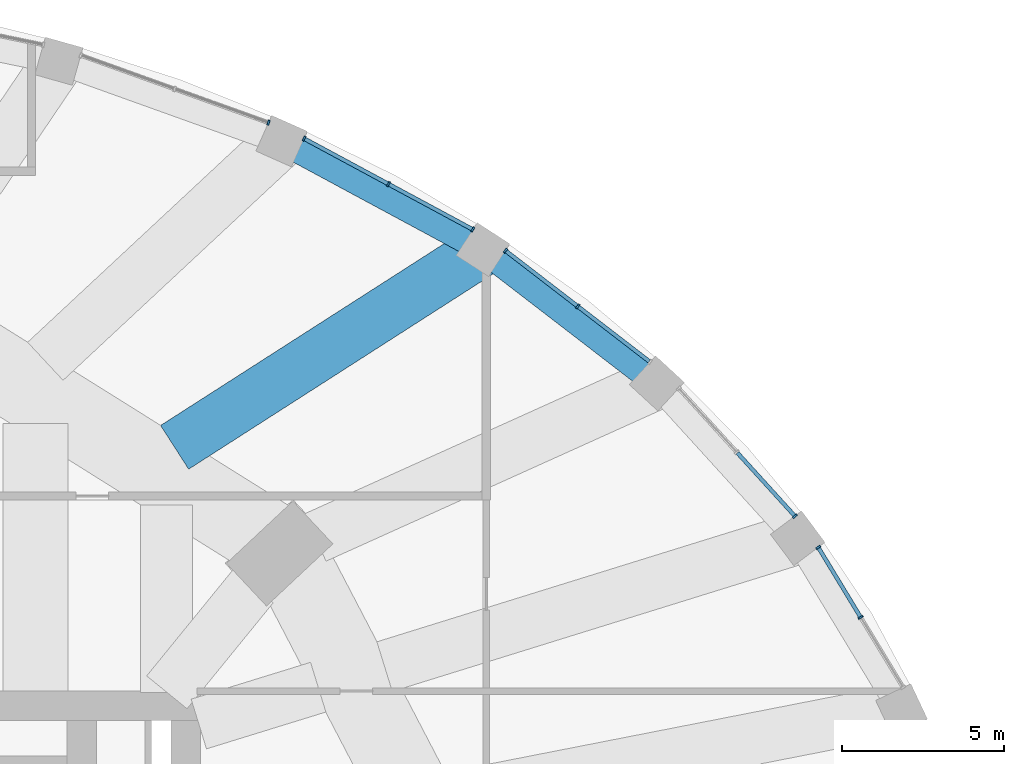
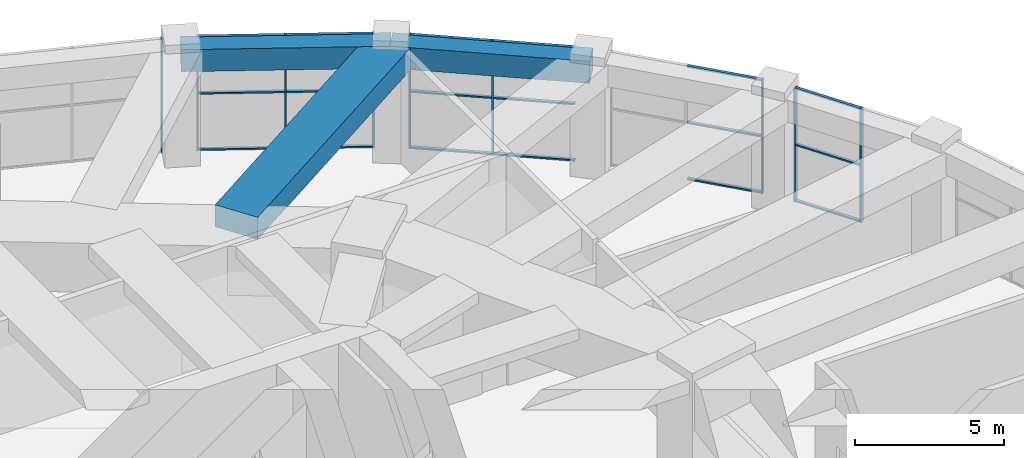
# One storey, part 15 of 30: 27 members, 3 beams, 5 elements without a shape of their own.
"""IFC4 building model written with IfcOpenShell, lengths in metres."""

from ifc_helpers import new_model, si_unit, direction, frame, origin, origin_2d, place, context, subcontext, project, spatial, rectangle, extrude, material, material_profile, profile_set, type_object, element, aggregate, save


model = new_model("IFC4")

# Units and contexts
model_context = context("Model", 3, precision=1e-05, world=origin(), true_north=direction((0.0, 1.0)))
body_context = subcontext(model_context, "Body", "Model", "MODEL_VIEW")
ifc_project = project(units=[si_unit("LENGTHUNIT", "METRE"), si_unit("AREAUNIT", "SQUARE_METRE"), si_unit("VOLUMEUNIT", "CUBIC_METRE"), si_unit("PLANEANGLEUNIT", "RADIAN"), si_unit("MASSUNIT", "GRAM", prefix="KILO")], contexts=[model_context])

# Site, building, storey
site_placement = place(None, origin())
site = spatial("IfcSite", under=ifc_project, at=site_placement, CompositionType="ELEMENT")
building_placement = place(site_placement, origin())
building = spatial("IfcBuilding", under=site, at=building_placement, Name="Taillehof Tower", CompositionType="ELEMENT")
storey_placement = place(building_placement, frame((0.0, 0.0, 12.5)))
storey = spatial("IfcBuildingStorey", under=building, at=storey_placement, Name="L02", CompositionType="ELEMENT", Elevation=12.5)

# Beams
ifc_material_1 = material(Name="Concrete C50/60", Category="concrete")
ifc_material_profile_1 = material_profile(ifc_material_1, rectangle(XDim=0.800048828125, YDim=0.89990234375, at=origin_2d()), Name="RC 800x900")
ifc_profile_set_1 = profile_set([ifc_material_profile_1], Name="Concrete C50/60")
beam_type_1 = type_object("IfcBeamType", Name="Podium edge beam C50/60 800x900", PredefinedType="BEAM", material=ifc_profile_set_1)
beam_1_placement = place(storey_placement, frame((33.246337890625, 21.468994140625, 4.199951171875), z_axis=(-0.79247741179, 0.609901263978, 0.0), x_axis=(-0.609901263978, -0.79247741179, 0.0)))
element("IfcBeam", 1, at=beam_1_placement, inside=storey, type_object=beam_type_1, Name="Podium edge beam PB05", PredefinedType="BEAM", context=body_context, shape_type="SweptSolid", body=[
    extrude(rectangle(XDim=0.800048828125, YDim=0.89990234375, at=origin_2d()), origin(), (0.0, 0.0, 1.0), 6.750244140625),
])
beam_2_placement = place(storey_placement, frame((27.89697265625, 25.5859375, 4.199951171875), z_axis=(-0.880322944269, 0.474374866317, 0.0), x_axis=(-0.474374866317, -0.880322944269, 0.0)))
element("IfcBeam", 2, at=beam_2_placement, inside=storey, type_object=beam_type_1, Name="Podium edge beam PB06", PredefinedType="BEAM", context=body_context, shape_type="SweptSolid", body=[
    extrude(rectangle(XDim=0.800048828125, YDim=0.89990234375, at=origin_2d()), origin(), (0.0, 0.0, 1.0), 7.03955078125),
])
ifc_material_2 = material(Name="Concrete C50/60", Category="concrete")
ifc_material_profile_2 = material_profile(ifc_material_2, rectangle(XDim=1.60009765625, YDim=0.89990234375, at=origin_2d()), Name="RC 1600x900")
ifc_profile_set_2 = profile_set([ifc_material_profile_2], Name="Concrete C50/60")
beam_type_2 = type_object("IfcBeamType", Name="Podium radial beam C50/60 1600x900", PredefinedType="BEAM", material=ifc_profile_set_2)
beam_3_placement = place(storey_placement, frame((27.89697265625, 25.5859375, 4.199951171875), z_axis=(-0.841842051914, -0.539723966143, 0.0), x_axis=(0.539723966143, -0.841842051914, 0.0)))
element("IfcBeam", 3, at=beam_3_placement, inside=storey, type_object=beam_type_2, Name="Podium radial beam PR06", PredefinedType="BEAM", context=body_context, shape_type="SweptSolid", body=[
    extrude(rectangle(XDim=1.60009765625, YDim=0.89990234375, at=origin_2d()), origin(), (0.0, 0.0, 1.0), 11.273681640625),
])

# Curtain wall, members
ifc_material_3 = material(Name="Aluminium curtain wall with Clear low-emissivity double glazing", Category="aluminium")
curtain_wall_type = type_object("IfcCurtainWallType", Name="Podium window wall curtain wall", PredefinedType="USERDEFINED", material=ifc_material_3)
curtain_wall_1_placement = place(storey_placement, origin())
curtain_wall_1 = element("IfcCurtainWall", 4, at=curtain_wall_1_placement, inside=storey, type_object=curtain_wall_type, Name="Podium window wall L02 bay 3", ObjectType="WINDOW WALL", PredefinedType="USERDEFINED")
ifc_material_4 = material(Name="Aluminium mullion", Category="aluminium")
ifc_material_profile_3 = material_profile(ifc_material_4, rectangle(XDim=0.159912109375, YDim=0.06005859375, at=origin_2d()), Name="AL 60x160")
ifc_profile_set_3 = profile_set([ifc_material_profile_3], Name="Aluminium mullion")
member_type_1 = type_object("IfcMemberType", Name="Podium window wall mullion 60x160", PredefinedType="MULLION", material=ifc_profile_set_3)
member_1_placement = place(storey_placement, frame((39.524169921875, 14.266357421875, 0.0), z_axis=(0.0, 0.0, 1.0), x_axis=(-0.855288863309, -0.518151483931, 0.0)))
member_1 = element("IfcMember", 5, at=member_1_placement, type_object=member_type_1, Name="CT203 mullion 2", PredefinedType="MULLION", context=body_context, shape_type="SweptSolid", body=[
    extrude(rectangle(XDim=0.159912109375, YDim=0.06005859375, at=origin_2d()), origin(), (0.0, 0.0, 1.0), 4.64990234375),
])
member_2_placement = place(storey_placement, frame((38.217529296875, 16.42333984375, 0.0), z_axis=(0.0, 0.0, 1.0), x_axis=(-0.855288863309, -0.518151483931, 0.0)))
member_2 = element("IfcMember", 6, at=member_2_placement, type_object=member_type_1, Name="CT203 mullion 3", PredefinedType="MULLION", context=body_context, shape_type="SweptSolid", body=[
    extrude(rectangle(XDim=0.159912109375, YDim=0.06005859375, at=origin_2d()), origin(), (0.0, 0.0, 1.0), 4.64990234375),
])

# Curtain wall, member
curtain_wall_2_placement = place(storey_placement, origin())
curtain_wall_2 = element("IfcCurtainWall", 7, at=curtain_wall_2_placement, inside=storey, type_object=curtain_wall_type, Name="Podium window wall L02 bay 4", ObjectType="WINDOW WALL", PredefinedType="USERDEFINED")
member_3_placement = place(storey_placement, frame((37.49951171875, 17.384765625, 0.0), z_axis=(0.0, 0.0, 1.0), x_axis=(-0.739707112587, -0.672928961769, 0.0)))
member_3 = element("IfcMember", 8, at=member_3_placement, type_object=member_type_1, Name="CT204 mullion 1", PredefinedType="MULLION", context=body_context, shape_type="SweptSolid", body=[
    extrude(rectangle(XDim=0.159912109375, YDim=0.06005859375, at=origin_2d()), origin(), (0.0, 0.0, 1.0), 4.64990234375),
])

# Curtain wall, members
curtain_wall_3_placement = place(storey_placement, origin())
curtain_wall_3 = element("IfcCurtainWall", 9, at=curtain_wall_3_placement, inside=storey, type_object=curtain_wall_type, Name="Podium window wall L02 bay 5", ObjectType="WINDOW WALL", PredefinedType="USERDEFINED")
member_4_placement = place(storey_placement, frame((30.8154296875, 23.842041015625, 0.0), z_axis=(0.0, 0.0, 1.0), x_axis=(-0.60993206075, -0.792453709228, 0.0)))
member_4 = element("IfcMember", 10, at=member_4_placement, type_object=member_type_1, Name="CT205 mullion 2", PredefinedType="MULLION", context=body_context, shape_type="SweptSolid", body=[
    extrude(rectangle(XDim=0.159912109375, YDim=0.06005859375, at=origin_2d()), origin(), (0.0, 0.0, 1.0), 4.64990234375),
])
member_5_placement = place(storey_placement, frame((28.59130859375, 25.5537109375, 0.0), z_axis=(0.0, 0.0, 1.0), x_axis=(-0.60993206075, -0.792453709228, 0.0)))
member_5 = element("IfcMember", 11, at=member_5_placement, type_object=member_type_1, Name="CT205 mullion 3", PredefinedType="MULLION", context=body_context, shape_type="SweptSolid", body=[
    extrude(rectangle(XDim=0.159912109375, YDim=0.06005859375, at=origin_2d()), origin(), (0.0, 0.0, 1.0), 4.64990234375),
])

curtain_wall_4_placement = place(storey_placement, origin())
curtain_wall_4 = element("IfcCurtainWall", 12, at=curtain_wall_4_placement, inside=storey, type_object=curtain_wall_type, Name="Podium window wall L02 bay 6", ObjectType="WINDOW WALL", PredefinedType="USERDEFINED")
member_6_placement = place(storey_placement, frame((27.584228515625, 26.20654296875, 0.0), z_axis=(0.0, 0.0, 1.0), x_axis=(-0.474414781992, -0.880301433958, 0.0)))
member_6 = element("IfcMember", 13, at=member_6_placement, type_object=member_type_1, Name="CT206 mullion 1", PredefinedType="MULLION", context=body_context, shape_type="SweptSolid", body=[
    extrude(rectangle(XDim=0.159912109375, YDim=0.06005859375, at=origin_2d()), origin(), (0.0, 0.0, 1.0), 4.64990234375),
])
member_7_placement = place(storey_placement, frame((24.98828125, 27.60546875, 0.0), z_axis=(0.0, 0.0, 1.0), x_axis=(-0.474414781992, -0.880301433958, 0.0)))
member_7 = element("IfcMember", 14, at=member_7_placement, type_object=member_type_1, Name="CT206 mullion 2", PredefinedType="MULLION", context=body_context, shape_type="SweptSolid", body=[
    extrude(rectangle(XDim=0.159912109375, YDim=0.06005859375, at=origin_2d()), origin(), (0.0, 0.0, 1.0), 4.64990234375),
])
member_8_placement = place(storey_placement, frame((22.392333984375, 29.004638671875, 0.0), z_axis=(0.0, 0.0, 1.0), x_axis=(-0.474414781992, -0.880301433958, 0.0)))
member_8 = element("IfcMember", 15, at=member_8_placement, type_object=member_type_1, Name="CT206 mullion 3", PredefinedType="MULLION", context=body_context, shape_type="SweptSolid", body=[
    extrude(rectangle(XDim=0.159912109375, YDim=0.06005859375, at=origin_2d()), origin(), (0.0, 0.0, 1.0), 4.64990234375),
])

# Curtain wall, member
curtain_wall_5_placement = place(storey_placement, origin())
curtain_wall_5 = element("IfcCurtainWall", 16, at=curtain_wall_5_placement, inside=storey, type_object=curtain_wall_type, Name="Podium window wall L02 bay 7", ObjectType="WINDOW WALL", PredefinedType="USERDEFINED")
member_9_placement = place(storey_placement, frame((21.29638671875, 29.4931640625, 0.0), z_axis=(0.0, 0.0, 1.0), x_axis=(-0.337798502496, -0.94121845058, 0.0)))
member_9 = element("IfcMember", 17, at=member_9_placement, type_object=member_type_1, Name="CT207 mullion 1", PredefinedType="MULLION", context=body_context, shape_type="SweptSolid", body=[
    extrude(rectangle(XDim=0.159912109375, YDim=0.06005859375, at=origin_2d()), origin(), (0.0, 0.0, 1.0), 4.64990234375),
])
aggregate(curtain_wall_5, [member_9])

# Member
ifc_material_5 = material(Name="Aluminium transom", Category="aluminium")
ifc_material_profile_4 = material_profile(ifc_material_5, rectangle(XDim=0.1201171875, YDim=0.06005859375, at=origin_2d()), Name="AL 120x60")
ifc_profile_set_4 = profile_set([ifc_material_profile_4], Name="Aluminium transom")
member_type_2 = type_object("IfcMemberType", Name="Podium window wall transom 120x60", PredefinedType="USERDEFINED", material=ifc_profile_set_4)
member_10_placement = place(storey_placement, frame((39.5087890625, 14.2919921875, 0.030029296875), z_axis=(-0.518136875535, 0.855297713203, 0.0), x_axis=(-0.855297713203, -0.518136875535, 0.0)))
member_10 = element("IfcMember", 18, at=member_10_placement, type_object=member_type_2, Name="CT203 transom 2.1", ObjectType="TRANSOM", PredefinedType="USERDEFINED", context=body_context, shape_type="SweptSolid", body=[
    extrude(rectangle(XDim=0.1201171875, YDim=0.06005859375, at=origin_2d()), origin(), (0.0, 0.0, 1.0), 2.4619140625),
])

member_11_placement = place(storey_placement, frame((39.5087890625, 14.2919921875, 2.324951171875), z_axis=(-0.518136875535, 0.855297713203, 0.0), x_axis=(-0.855297713203, -0.518136875535, 0.0)))
member_11 = element("IfcMember", 19, at=member_11_placement, type_object=member_type_2, Name="CT203 transom 2.2", ObjectType="TRANSOM", PredefinedType="USERDEFINED", context=body_context, shape_type="SweptSolid", body=[
    extrude(rectangle(XDim=0.1201171875, YDim=0.06005859375, at=origin_2d()), origin(), (0.0, 0.0, 1.0), 2.4619140625),
])

member_12_placement = place(storey_placement, frame((39.5087890625, 14.2919921875, 4.6201171875), z_axis=(-0.518136875535, 0.855297713203, 0.0), x_axis=(-0.855297713203, -0.518136875535, 0.0)))
member_12 = element("IfcMember", 20, at=member_12_placement, type_object=member_type_2, Name="CT203 transom 2.3", ObjectType="TRANSOM", PredefinedType="USERDEFINED", context=body_context, shape_type="SweptSolid", body=[
    extrude(rectangle(XDim=0.1201171875, YDim=0.06005859375, at=origin_2d()), origin(), (0.0, 0.0, 1.0), 2.4619140625),
])

aggregate(curtain_wall_1, [member_1, member_2, member_10, member_11, member_12])

member_13_placement = place(storey_placement, frame((37.479248046875, 17.406982421875, 0.030029296875), z_axis=(-0.672911295482, 0.739723183639, 0.0), x_axis=(-0.739723183639, -0.672911295482, 0.0)))
member_13 = element("IfcMember", 21, at=member_13_placement, type_object=member_type_2, Name="CT204 transom 1.1", ObjectType="TRANSOM", PredefinedType="USERDEFINED", context=body_context, shape_type="SweptSolid", body=[
    extrude(rectangle(XDim=0.1201171875, YDim=0.06005859375, at=origin_2d()), origin(), (0.0, 0.0, 1.0), 2.59814453125),
])

member_14_placement = place(storey_placement, frame((37.479248046875, 17.406982421875, 2.324951171875), z_axis=(-0.672911295482, 0.739723183639, 0.0), x_axis=(-0.739723183639, -0.672911295482, 0.0)))
member_14 = element("IfcMember", 22, at=member_14_placement, type_object=member_type_2, Name="CT204 transom 1.2", ObjectType="TRANSOM", PredefinedType="USERDEFINED", context=body_context, shape_type="SweptSolid", body=[
    extrude(rectangle(XDim=0.1201171875, YDim=0.06005859375, at=origin_2d()), origin(), (0.0, 0.0, 1.0), 2.59814453125),
])

member_15_placement = place(storey_placement, frame((37.479248046875, 17.406982421875, 4.6201171875), z_axis=(-0.672911295482, 0.739723183639, 0.0), x_axis=(-0.739723183639, -0.672911295482, 0.0)))
member_15 = element("IfcMember", 23, at=member_15_placement, type_object=member_type_2, Name="CT204 transom 1.3", ObjectType="TRANSOM", PredefinedType="USERDEFINED", context=body_context, shape_type="SweptSolid", body=[
    extrude(rectangle(XDim=0.1201171875, YDim=0.06005859375, at=origin_2d()), origin(), (0.0, 0.0, 1.0), 2.59814453125),
])

aggregate(curtain_wall_2, [member_3, member_13, member_14, member_15])

member_16_placement = place(storey_placement, frame((33.015625, 22.1484375, 0.030029296875), z_axis=(-0.792438906392, 0.609951292839, 0.0), x_axis=(-0.609951292839, -0.792438906392, 0.0)))
member_16 = element("IfcMember", 24, at=member_16_placement, type_object=member_type_2, Name="CT205 transom 1.1", ObjectType="TRANSOM", PredefinedType="USERDEFINED", context=body_context, shape_type="SweptSolid", body=[
    extrude(rectangle(XDim=0.1201171875, YDim=0.06005859375, at=origin_2d()), origin(), (0.0, 0.0, 1.0), 2.74658203125),
])

member_17_placement = place(storey_placement, frame((33.015625, 22.1484375, 2.324951171875), z_axis=(-0.792438906392, 0.609951292839, 0.0), x_axis=(-0.609951292839, -0.792438906392, 0.0)))
member_17 = element("IfcMember", 25, at=member_17_placement, type_object=member_type_2, Name="CT205 transom 1.2", ObjectType="TRANSOM", PredefinedType="USERDEFINED", context=body_context, shape_type="SweptSolid", body=[
    extrude(rectangle(XDim=0.1201171875, YDim=0.06005859375, at=origin_2d()), origin(), (0.0, 0.0, 1.0), 2.74658203125),
])

member_18_placement = place(storey_placement, frame((33.015625, 22.1484375, 4.6201171875), z_axis=(-0.792438906392, 0.609951292839, 0.0), x_axis=(-0.609951292839, -0.792438906392, 0.0)))
member_18 = element("IfcMember", 26, at=member_18_placement, type_object=member_type_2, Name="CT205 transom 1.3", ObjectType="TRANSOM", PredefinedType="USERDEFINED", context=body_context, shape_type="SweptSolid", body=[
    extrude(rectangle(XDim=0.1201171875, YDim=0.06005859375, at=origin_2d()), origin(), (0.0, 0.0, 1.0), 2.74658203125),
])

member_19_placement = place(storey_placement, frame((30.79150390625, 23.8603515625, 0.030029296875), z_axis=(-0.792481870823, 0.609895470075, 0.0), x_axis=(-0.609895470075, -0.792481870823, 0.0)))
member_19 = element("IfcMember", 27, at=member_19_placement, type_object=member_type_2, Name="CT205 transom 2.1", ObjectType="TRANSOM", PredefinedType="USERDEFINED", context=body_context, shape_type="SweptSolid", body=[
    extrude(rectangle(XDim=0.1201171875, YDim=0.06005859375, at=origin_2d()), origin(), (0.0, 0.0, 1.0), 2.746337890625),
])

member_20_placement = place(storey_placement, frame((30.79150390625, 23.8603515625, 2.324951171875), z_axis=(-0.792481870823, 0.609895470075, 0.0), x_axis=(-0.609895470075, -0.792481870823, 0.0)))
member_20 = element("IfcMember", 28, at=member_20_placement, type_object=member_type_2, Name="CT205 transom 2.2", ObjectType="TRANSOM", PredefinedType="USERDEFINED", context=body_context, shape_type="SweptSolid", body=[
    extrude(rectangle(XDim=0.1201171875, YDim=0.06005859375, at=origin_2d()), origin(), (0.0, 0.0, 1.0), 2.746337890625),
])

member_21_placement = place(storey_placement, frame((30.79150390625, 23.8603515625, 4.6201171875), z_axis=(-0.792481870823, 0.609895470075, 0.0), x_axis=(-0.609895470075, -0.792481870823, 0.0)))
member_21 = element("IfcMember", 29, at=member_21_placement, type_object=member_type_2, Name="CT205 transom 2.3", ObjectType="TRANSOM", PredefinedType="USERDEFINED", context=body_context, shape_type="SweptSolid", body=[
    extrude(rectangle(XDim=0.1201171875, YDim=0.06005859375, at=origin_2d()), origin(), (0.0, 0.0, 1.0), 2.746337890625),
])

aggregate(curtain_wall_3, [member_4, member_5, member_16, member_17, member_18, member_19, member_20, member_21])

member_22_placement = place(storey_placement, frame((27.557861328125, 26.220703125, 0.030029296875), z_axis=(-0.880281070202, 0.474452566063, 0.0), x_axis=(-0.474452566063, -0.880281070202, 0.0)))
member_22 = element("IfcMember", 30, at=member_22_placement, type_object=member_type_2, Name="CT206 transom 1.1", ObjectType="TRANSOM", PredefinedType="USERDEFINED", context=body_context, shape_type="SweptSolid", body=[
    extrude(rectangle(XDim=0.1201171875, YDim=0.06005859375, at=origin_2d()), origin(), (0.0, 0.0, 1.0), 2.888916015625),
])

member_23_placement = place(storey_placement, frame((27.557861328125, 26.220703125, 2.324951171875), z_axis=(-0.880281070202, 0.474452566063, 0.0), x_axis=(-0.474452566063, -0.880281070202, 0.0)))
member_23 = element("IfcMember", 31, at=member_23_placement, type_object=member_type_2, Name="CT206 transom 1.2", ObjectType="TRANSOM", PredefinedType="USERDEFINED", context=body_context, shape_type="SweptSolid", body=[
    extrude(rectangle(XDim=0.1201171875, YDim=0.06005859375, at=origin_2d()), origin(), (0.0, 0.0, 1.0), 2.888916015625),
])

member_24_placement = place(storey_placement, frame((27.557861328125, 26.220703125, 4.6201171875), z_axis=(-0.880281070202, 0.474452566063, 0.0), x_axis=(-0.474452566063, -0.880281070202, 0.0)))
member_24 = element("IfcMember", 32, at=member_24_placement, type_object=member_type_2, Name="CT206 transom 1.3", ObjectType="TRANSOM", PredefinedType="USERDEFINED", context=body_context, shape_type="SweptSolid", body=[
    extrude(rectangle(XDim=0.1201171875, YDim=0.06005859375, at=origin_2d()), origin(), (0.0, 0.0, 1.0), 2.888916015625),
])

member_25_placement = place(storey_placement, frame((24.9619140625, 27.619873046875, 0.030029296875), z_axis=(-0.880300092261, 0.474417271571, 0.0), x_axis=(-0.474417271571, -0.880300092261, 0.0)))
member_25 = element("IfcMember", 33, at=member_25_placement, type_object=member_type_2, Name="CT206 transom 2.1", ObjectType="TRANSOM", PredefinedType="USERDEFINED", context=body_context, shape_type="SweptSolid", body=[
    extrude(rectangle(XDim=0.1201171875, YDim=0.06005859375, at=origin_2d()), origin(), (0.0, 0.0, 1.0), 2.888916015625),
])

member_26_placement = place(storey_placement, frame((24.9619140625, 27.619873046875, 2.324951171875), z_axis=(-0.880300092261, 0.474417271571, 0.0), x_axis=(-0.474417271571, -0.880300092261, 0.0)))
member_26 = element("IfcMember", 34, at=member_26_placement, type_object=member_type_2, Name="CT206 transom 2.2", ObjectType="TRANSOM", PredefinedType="USERDEFINED", context=body_context, shape_type="SweptSolid", body=[
    extrude(rectangle(XDim=0.1201171875, YDim=0.06005859375, at=origin_2d()), origin(), (0.0, 0.0, 1.0), 2.888916015625),
])

member_27_placement = place(storey_placement, frame((24.9619140625, 27.619873046875, 4.6201171875), z_axis=(-0.880300092261, 0.474417271571, 0.0), x_axis=(-0.474417271571, -0.880300092261, 0.0)))
member_27 = element("IfcMember", 35, at=member_27_placement, type_object=member_type_2, Name="CT206 transom 2.3", ObjectType="TRANSOM", PredefinedType="USERDEFINED", context=body_context, shape_type="SweptSolid", body=[
    extrude(rectangle(XDim=0.1201171875, YDim=0.06005859375, at=origin_2d()), origin(), (0.0, 0.0, 1.0), 2.888916015625),
])

aggregate(curtain_wall_4, [member_6, member_7, member_8, member_22, member_23, member_24, member_25, member_26, member_27])

save(model, "model.ifc")
